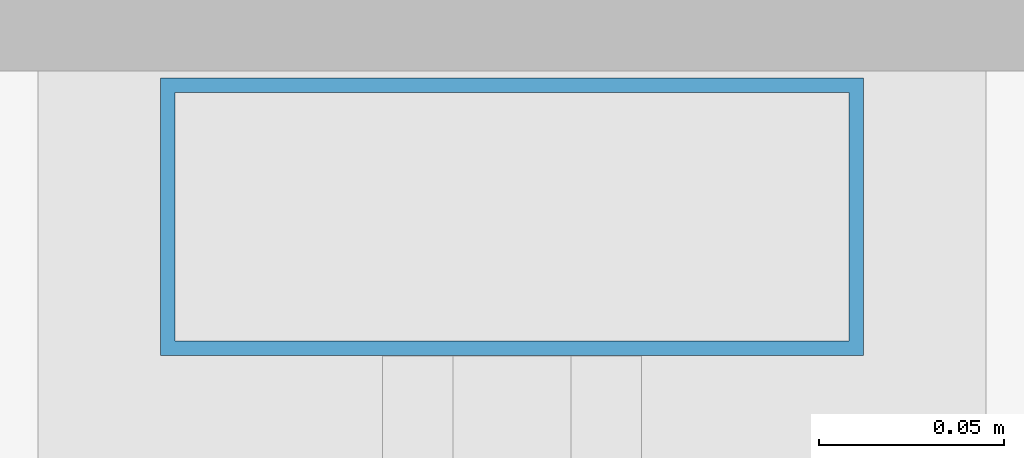
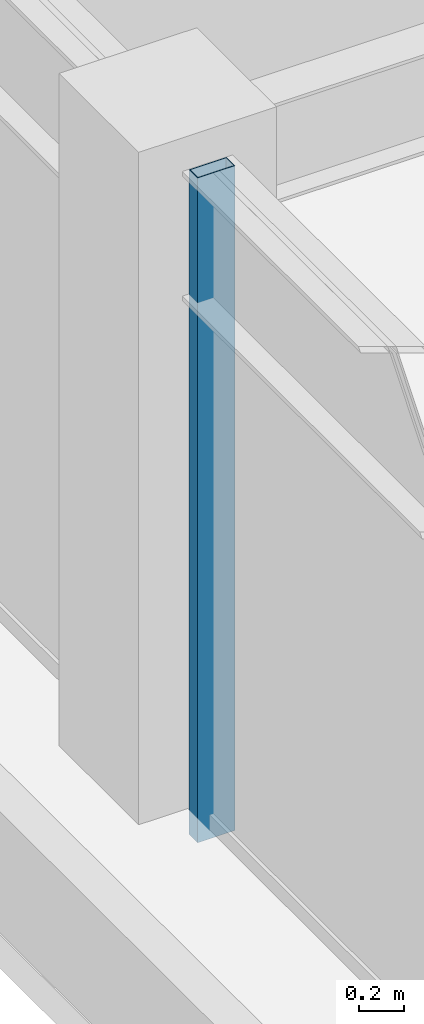
# One storey, part 8 of 30: 1 member, 1 element without a shape of its own.
"""IFC4 building model written with IfcOpenShell, lengths in metres."""

from ifc_helpers import new_model, si_unit, direction, frame, origin, origin_2d, place, context, subcontext, project, spatial, hollow_rectangle, extrude, material, layer, layer_set, material_profile, profile_set, type_object, element, aggregate, save


model = new_model("IFC4")

# Units and contexts
model_context = context("Model", 3, precision=1e-05, world=origin(), true_north=direction((0.0, 1.0)))
body_context = subcontext(model_context, "Body", "Model", "MODEL_VIEW")
ifc_project = project(units=[si_unit("LENGTHUNIT", "METRE"), si_unit("AREAUNIT", "SQUARE_METRE"), si_unit("VOLUMEUNIT", "CUBIC_METRE"), si_unit("PLANEANGLEUNIT", "RADIAN"), si_unit("MASSUNIT", "GRAM", prefix="KILO")], contexts=[model_context])

# Site, building, storey
site_placement = place(None, origin())
site = spatial("IfcSite", under=ifc_project, at=site_placement, CompositionType="ELEMENT")
building_placement = place(site_placement, origin())
building = spatial("IfcBuilding", under=site, at=building_placement, Name="Surkhivell Harbour Commons", CompositionType="ELEMENT")
storey_placement = place(building_placement, frame((0.0, 0.0, 281.25)))
storey = spatial("IfcBuildingStorey", under=building, at=storey_placement, Name="L73", CompositionType="ELEMENT", Elevation=281.25)

# Curtain wall, member
ifc_material_1 = material(Name="Anodised pale-metal aluminium and insulated glazing", Category="aluminium")
ifc_layer = layer(ifc_material_1, 0.175048828125)
ifc_layer_set = layer_set([ifc_layer], Name="Anodised pale-metal aluminium and insulated glazing")
curtain_wall_type = type_object("IfcCurtainWallType", Name="CW-SYS-Z4", PredefinedType="NOTDEFINED", material=ifc_layer_set)
curtain_wall_placement = place(storey_placement, origin())
curtain_wall = element("IfcCurtainWall", 1, at=curtain_wall_placement, inside=storey, type_object=curtain_wall_type, Name="L73 Curtain Wall CW-L73-E12S1", PredefinedType="NOTDEFINED")
ifc_material_2 = material(Name="Anodised pale-metal aluminium alloy 6063-T6", Category="aluminium")
ifc_material_profile = material_profile(ifc_material_2, hollow_rectangle(XDim=0.074951171875, YDim=0.18994140625, WallThickness=0.00390625, at=origin_2d()), Name="ALU-MULL-75x190")
ifc_profile_set = profile_set([ifc_material_profile], Name="Anodised pale-metal aluminium alloy 6063-T6")
member_type = type_object("IfcMemberType", Name="CWM-190", PredefinedType="MULLION", material=ifc_profile_set)
member_placement = place(storey_placement, frame((-27.0, -0.389404296875, 0.0), z_axis=(0.0, 0.0, 1.0), x_axis=(0.0, -1.0, 0.0)))
member = element("IfcMember", 2, at=member_placement, type_object=member_type, Name="CW-Z4 mullion 5", PredefinedType="MULLION", context=body_context, shape_type="SweptSolid", body=[
    extrude(hollow_rectangle(XDim=0.074951171875, YDim=0.18994140625, WallThickness=0.00390625, at=origin_2d()), origin(), (0.0, 0.0, 1.0), 3.570068359375),
])
aggregate(curtain_wall, [member])

save(model, "model.ifc")
